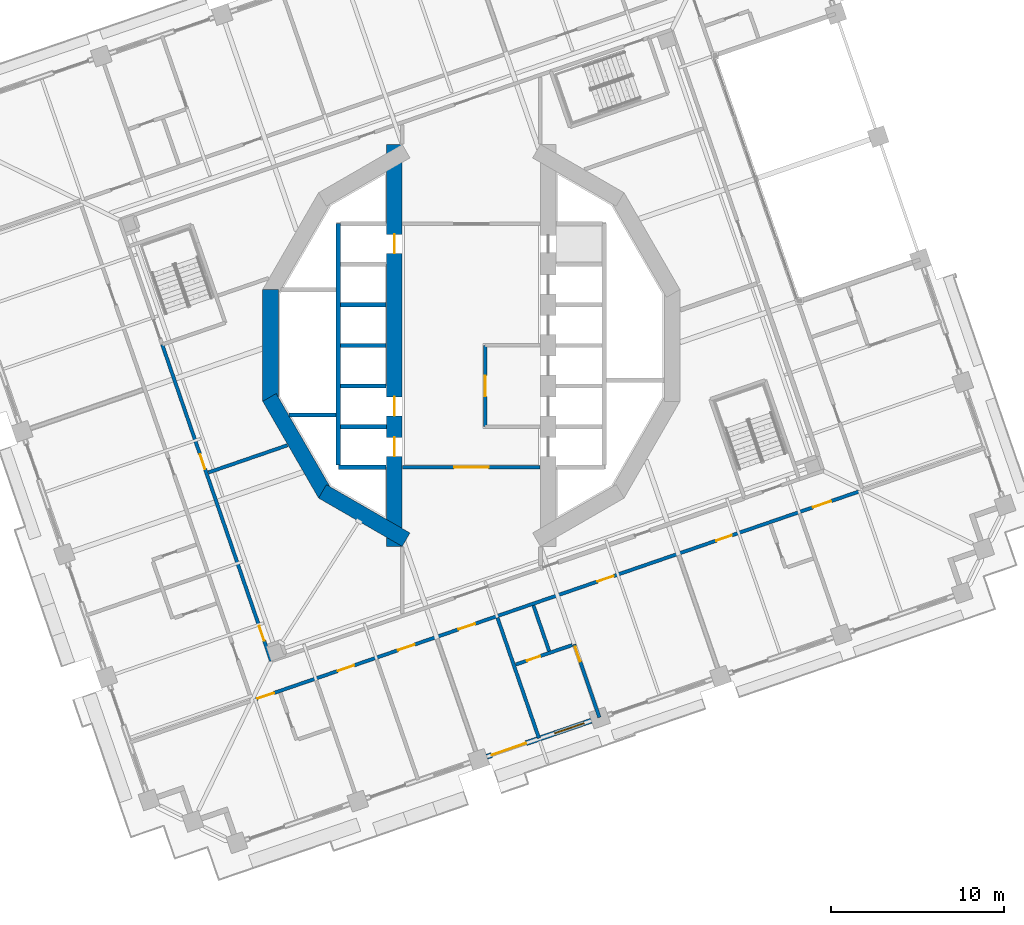
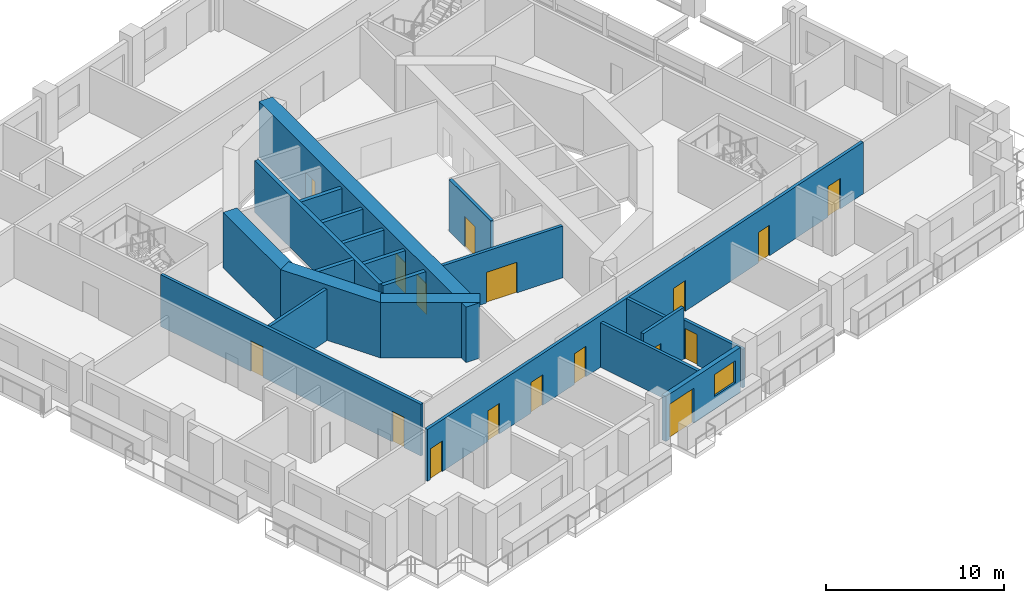
# One storey, part 8 of 19: 21 walls, 17 doors, 1 window, 18 openings.
"""IFC4 building model written with IfcOpenShell, lengths in metres."""

from ifc_helpers import new_model, si_unit, direction, frame, frame_2d, origin, place, context, subcontext, project, spatial, rectangle, extrude, material, layer, layer_set, type_object, element, fill, save


model = new_model("IFC4")

# Units and contexts
model_context = context("Model", 3, precision=1e-05, world=origin(), true_north=direction((0.0, 1.0)))
body_context = subcontext(model_context, "Body", "Model", "MODEL_VIEW")
ifc_project = project(units=[si_unit("LENGTHUNIT", "METRE"), si_unit("AREAUNIT", "SQUARE_METRE"), si_unit("VOLUMEUNIT", "CUBIC_METRE"), si_unit("PLANEANGLEUNIT", "RADIAN"), si_unit("MASSUNIT", "GRAM", prefix="KILO")], contexts=[model_context])

# Site, building, storey
site_placement = place(None, origin())
site = spatial("IfcSite", under=ifc_project, at=site_placement, CompositionType="ELEMENT")
building_placement = place(site_placement, origin())
building = spatial("IfcBuilding", under=site, at=building_placement, Name="Cantera Rosa Tower", CompositionType="ELEMENT")
storey_placement = place(building_placement, frame((0.0, 0.0, 130.699951171875)))
storey = spatial("IfcBuildingStorey", under=building, at=storey_placement, Name="L27", CompositionType="ELEMENT", Elevation=130.699951171875)

# Wall, openings, doors
ifc_material_1 = material(Name="Gypsum board partition")
ifc_layer_1 = layer(ifc_material_1, 0.199951171875)
ifc_layer_set_1 = layer_set([ifc_layer_1], Name="CORRIDOR WALL 200 H3550")
wall_type_1 = type_object("IfcWallType", Name="CORRIDOR WALL 200 H3550", PredefinedType="PARTITIONING", material=ifc_layer_set_1)
wall_1_placement = place(storey_placement, frame((-17.8916015625, 0.05126953125, 0.0), z_axis=(0.0, 0.0, 1.0), x_axis=(0.325580537834, -0.94551431157, 0.0)))
wall_1 = element("IfcWall", 1, at=wall_1_placement, inside=storey, type_object=wall_type_1, Name="CORRIDOR WALL L27-013", PredefinedType="PARTITIONING", context=body_context, shape_type="SweptSolid", body=[
    extrude(rectangle(XDim=19.37353515625, YDim=0.199951171875, at=frame_2d((9.686767578125, 0.0))), origin(), (0.0, 0.0, 1.0), 3.550048828125),
])
opening_1_placement = place(wall_1_placement, frame((6.7109375, 0.0, 0.0)))
opening_1 = element("IfcOpeningElement", 2, at=opening_1_placement, cuts=wall_1, Name="Opening L27-006", PredefinedType="OPENING", context=body_context, shape_type="SweptSolid", body=[
    extrude(rectangle(XDim=0.89990234375, YDim=2.10009765625, at=frame_2d((0.449951171875, 1.050048828125))), frame((0.0, 0.10986328125, 0.0), z_axis=(0.0, -1.0, 0.0), x_axis=(1.0, 0.0, 0.0)), (0.0, 0.0, 1.0), 0.219970703125),
])
opening_2_placement = place(wall_1_placement, frame((17.228515625, 0.0, 0.0)))
opening_2 = element("IfcOpeningElement", 3, at=opening_2_placement, cuts=wall_1, Name="Opening L27-007", PredefinedType="OPENING", context=body_context, shape_type="SweptSolid", body=[
    extrude(rectangle(XDim=0.89990234375, YDim=2.10009765625, at=frame_2d((0.449951171875, 1.050048828125))), frame((0.0, 0.10986328125, 0.0), z_axis=(0.0, -1.0, 0.0), x_axis=(1.0, 0.0, 0.0)), (0.0, 0.0, 1.0), 0.219970703125),
])
ifc_material_2 = material(Name="Timber door leaf", Category="wood")
door_type_1 = type_object("IfcDoorType", Name="SERVICE DOOR 900x2100", OperationType="NOTDEFINED", PredefinedType="DOOR", material=ifc_material_2)
door_1_placement = place(opening_1_placement, origin())
door_1 = element("IfcDoor", 4, at=door_1_placement, inside=storey, type_object=door_type_1, Name="DOOR L27-006", OperationType="NOTDEFINED", OverallHeight=2.10009765625, OverallWidth=0.89990234375, PredefinedType="DOOR", context=body_context, shape_type="SweptSolid", body=[
    extrude(rectangle(XDim=0.89990234375, YDim=2.10009765625, at=frame_2d((0.449951171875, 1.050048828125))), frame((0.0, 0.02490234375, 0.0), z_axis=(0.0, -1.0, 0.0), x_axis=(1.0, 0.0, 0.0)), (0.0, 0.0, 1.0), 0.050048828125),
])
fill(opening_1, door_1)
door_2_placement = place(opening_2_placement, origin())
door_2 = element("IfcDoor", 5, at=door_2_placement, inside=storey, type_object=door_type_1, Name="DOOR L27-007", OperationType="NOTDEFINED", OverallHeight=2.10009765625, OverallWidth=0.89990234375, PredefinedType="DOOR", context=body_context, shape_type="SweptSolid", body=[
    extrude(rectangle(XDim=0.89990234375, YDim=2.10009765625, at=frame_2d((0.449951171875, 1.050048828125))), frame((0.0, 0.02490234375, 0.0), z_axis=(0.0, -1.0, 0.0), x_axis=(1.0, 0.0, 0.0)), (0.0, 0.0, 1.0), 0.050048828125),
])
fill(opening_2, door_2)

wall_2_placement = place(storey_placement, frame((-12.60546875, -20.52197265625, 0.0), z_axis=(0.0, 0.0, 1.0), x_axis=(0.945519651594, 0.325565029526, 0.0)))
wall_2 = element("IfcWall", 6, at=wall_2_placement, inside=storey, type_object=wall_type_1, Name="CORRIDOR WALL L27-021", PredefinedType="PARTITIONING", context=body_context, shape_type="SweptSolid", body=[
    extrude(rectangle(XDim=37.300048828125, YDim=0.199951171875, at=frame_2d((18.64990234375, 0.0))), origin(), (0.0, 0.0, 1.0), 3.550048828125),
])
opening_3_placement = place(wall_2_placement, frame((5.14990234375, 0.0, 0.0)))
opening_3 = element("IfcOpeningElement", 7, at=opening_3_placement, cuts=wall_2, Name="Opening L27-032", PredefinedType="OPENING", context=body_context, shape_type="SweptSolid", body=[
    extrude(rectangle(XDim=1.0, YDim=2.10009765625, at=frame_2d((0.5, 1.050048828125))), frame((0.0, 0.10986328125, 0.0), z_axis=(0.0, -1.0, 0.0), x_axis=(1.0, 0.0, 0.0)), (0.0, 0.0, 1.0), 0.219970703125),
])
opening_4_placement = place(wall_2_placement, frame((8.85009765625, 0.0, 0.0)))
opening_4 = element("IfcOpeningElement", 8, at=opening_4_placement, cuts=wall_2, Name="Opening L27-033", PredefinedType="OPENING", context=body_context, shape_type="SweptSolid", body=[
    extrude(rectangle(XDim=1.0, YDim=2.10009765625, at=frame_2d((0.5, 1.050048828125))), frame((0.0, 0.10986328125, 0.0), z_axis=(0.0, -1.0, 0.0), x_axis=(1.0, 0.0, 0.0)), (0.0, 0.0, 1.0), 0.219970703125),
])
opening_5_placement = place(wall_2_placement, frame((12.550048828125, 0.0, 0.0)))
opening_5 = element("IfcOpeningElement", 9, at=opening_5_placement, cuts=wall_2, Name="Opening L27-034", PredefinedType="OPENING", context=body_context, shape_type="SweptSolid", body=[
    extrude(rectangle(XDim=1.0, YDim=2.10009765625, at=frame_2d((0.5, 1.050048828125))), frame((0.0, 0.10986328125, 0.0), z_axis=(0.0, -1.0, 0.0), x_axis=(1.0, 0.0, 0.0)), (0.0, 0.0, 1.0), 0.219970703125),
])
opening_6_placement = place(wall_2_placement, frame((21.050048828125, 0.0, 0.0)))
opening_6 = element("IfcOpeningElement", 10, at=opening_6_placement, cuts=wall_2, Name="Opening L27-035", PredefinedType="OPENING", context=body_context, shape_type="SweptSolid", body=[
    extrude(rectangle(XDim=1.0, YDim=2.10009765625, at=frame_2d((0.5, 1.050048828125))), frame((0.0, 0.10986328125, 0.0), z_axis=(0.0, -1.0, 0.0), x_axis=(1.0, 0.0, 0.0)), (0.0, 0.0, 1.0), 0.219970703125),
])
opening_7_placement = place(wall_2_placement, frame((28.324951171875, 0.0, 0.0)))
opening_7 = element("IfcOpeningElement", 11, at=opening_7_placement, cuts=wall_2, Name="Opening L27-038", PredefinedType="OPENING", context=body_context, shape_type="SweptSolid", body=[
    extrude(rectangle(XDim=0.949951171875, YDim=2.10009765625, at=frame_2d((0.47509765625, 1.050048828125))), frame((0.0, 0.10986328125, 0.0), z_axis=(0.0, -1.0, 0.0), x_axis=(1.0, 0.0, 0.0)), (0.0, 0.0, 1.0), 0.219970703125),
])
opening_8_placement = place(wall_2_placement, frame((0.25, 0.0, 0.0)))
opening_8 = element("IfcOpeningElement", 12, at=opening_8_placement, cuts=wall_2, Name="Opening L27-040", PredefinedType="OPENING", context=body_context, shape_type="SweptSolid", body=[
    extrude(rectangle(XDim=1.0, YDim=2.10009765625, at=frame_2d((0.5, 1.050048828125))), frame((0.0, 0.10986328125, 0.0), z_axis=(0.0, -1.0, 0.0), x_axis=(1.0, 0.0, 0.0)), (0.0, 0.0, 1.0), 0.219970703125),
])
opening_9_placement = place(wall_2_placement, frame((34.25, 0.0, 0.0)))
opening_9 = element("IfcOpeningElement", 13, at=opening_9_placement, cuts=wall_2, Name="Opening L27-042", PredefinedType="OPENING", context=body_context, shape_type="SweptSolid", body=[
    extrude(rectangle(XDim=1.10009765625, YDim=2.10009765625, at=frame_2d((0.550048828125, 1.050048828125))), frame((0.0, 0.10986328125, 0.0), z_axis=(0.0, -1.0, 0.0), x_axis=(1.0, 0.0, 0.0)), (0.0, 0.0, 1.0), 0.219970703125),
])
ifc_material_3 = material(Name="Timber door leaf", Category="wood")
door_type_2 = type_object("IfcDoorType", Name="ENTRANCE DOOR 1000x2100", OperationType="NOTDEFINED", PredefinedType="DOOR", material=ifc_material_3)
door_3_placement = place(opening_6_placement, origin())
door_3 = element("IfcDoor", 14, at=door_3_placement, inside=storey, type_object=door_type_2, Name="DOOR L27-035", OperationType="NOTDEFINED", OverallHeight=2.10009765625, OverallWidth=1.0, PredefinedType="DOOR", context=body_context, shape_type="SweptSolid", body=[
    extrude(rectangle(XDim=1.0, YDim=2.10009765625, at=frame_2d((0.5, 1.050048828125))), frame((0.0, 0.02490234375, 0.0), z_axis=(0.0, -1.0, 0.0), x_axis=(1.0, 0.0, 0.0)), (0.0, 0.0, 1.0), 0.050048828125),
])
fill(opening_6, door_3)
door_4_placement = place(opening_8_placement, origin())
door_4 = element("IfcDoor", 15, at=door_4_placement, inside=storey, type_object=door_type_2, Name="DOOR L27-040", OperationType="NOTDEFINED", OverallHeight=2.10009765625, OverallWidth=1.0, PredefinedType="DOOR", context=body_context, shape_type="SweptSolid", body=[
    extrude(rectangle(XDim=1.0, YDim=2.10009765625, at=frame_2d((0.5, 1.050048828125))), frame((0.0, 0.02490234375, 0.0), z_axis=(0.0, -1.0, 0.0), x_axis=(1.0, 0.0, 0.0)), (0.0, 0.0, 1.0), 0.050048828125),
])
fill(opening_8, door_4)
ifc_material_4 = material(Name="Timber door leaf", Category="wood")
door_type_3 = type_object("IfcDoorType", Name="ROOM DOOR 1000x2100", OperationType="NOTDEFINED", PredefinedType="DOOR", material=ifc_material_4)
door_5_placement = place(opening_3_placement, origin())
door_5 = element("IfcDoor", 16, at=door_5_placement, inside=storey, type_object=door_type_3, Name="DOOR L27-032", OperationType="NOTDEFINED", OverallHeight=2.10009765625, OverallWidth=1.0, PredefinedType="DOOR", context=body_context, shape_type="SweptSolid", body=[
    extrude(rectangle(XDim=1.0, YDim=2.10009765625, at=frame_2d((0.5, 1.050048828125))), frame((0.0, 0.02490234375, 0.0), z_axis=(0.0, -1.0, 0.0), x_axis=(1.0, 0.0, 0.0)), (0.0, 0.0, 1.0), 0.050048828125),
])
fill(opening_3, door_5)
door_6_placement = place(opening_4_placement, origin())
door_6 = element("IfcDoor", 17, at=door_6_placement, inside=storey, type_object=door_type_3, Name="DOOR L27-033", OperationType="NOTDEFINED", OverallHeight=2.10009765625, OverallWidth=1.0, PredefinedType="DOOR", context=body_context, shape_type="SweptSolid", body=[
    extrude(rectangle(XDim=1.0, YDim=2.10009765625, at=frame_2d((0.5, 1.050048828125))), frame((0.0, 0.02490234375, 0.0), z_axis=(0.0, -1.0, 0.0), x_axis=(1.0, 0.0, 0.0)), (0.0, 0.0, 1.0), 0.050048828125),
])
fill(opening_4, door_6)
door_7_placement = place(opening_5_placement, origin())
door_7 = element("IfcDoor", 18, at=door_7_placement, inside=storey, type_object=door_type_3, Name="DOOR L27-034", OperationType="NOTDEFINED", OverallHeight=2.10009765625, OverallWidth=1.0, PredefinedType="DOOR", context=body_context, shape_type="SweptSolid", body=[
    extrude(rectangle(XDim=1.0, YDim=2.10009765625, at=frame_2d((0.5, 1.050048828125))), frame((0.0, 0.02490234375, 0.0), z_axis=(0.0, -1.0, 0.0), x_axis=(1.0, 0.0, 0.0)), (0.0, 0.0, 1.0), 0.050048828125),
])
fill(opening_5, door_7)
ifc_material_5 = material(Name="Timber door leaf", Category="wood")
door_type_4 = type_object("IfcDoorType", Name="ROOM DOOR 1100x2100", OperationType="NOTDEFINED", PredefinedType="DOOR", material=ifc_material_5)
door_8_placement = place(opening_9_placement, origin())
door_8 = element("IfcDoor", 19, at=door_8_placement, inside=storey, type_object=door_type_4, Name="DOOR L27-042", OperationType="NOTDEFINED", OverallHeight=2.10009765625, OverallWidth=1.10009765625, PredefinedType="DOOR", context=body_context, shape_type="SweptSolid", body=[
    extrude(rectangle(XDim=1.10009765625, YDim=2.10009765625, at=frame_2d((0.550048828125, 1.050048828125))), frame((0.0, 0.02490234375, 0.0), z_axis=(0.0, -1.0, 0.0), x_axis=(1.0, 0.0, 0.0)), (0.0, 0.0, 1.0), 0.050048828125),
])
fill(opening_9, door_8)
ifc_material_6 = material(Name="Timber door leaf", Category="wood")
door_type_5 = type_object("IfcDoorType", Name="ROOM DOOR 950x2100", OperationType="NOTDEFINED", PredefinedType="DOOR", material=ifc_material_6)
door_9_placement = place(opening_7_placement, origin())
door_9 = element("IfcDoor", 20, at=door_9_placement, inside=storey, type_object=door_type_5, Name="DOOR L27-038", OperationType="NOTDEFINED", OverallHeight=2.10009765625, OverallWidth=0.949951171875, PredefinedType="DOOR", context=body_context, shape_type="SweptSolid", body=[
    extrude(rectangle(XDim=0.949951171875, YDim=2.10009765625, at=frame_2d((0.47509765625, 1.050048828125))), frame((0.0, 0.02490234375, 0.0), z_axis=(0.0, -1.0, 0.0), x_axis=(1.0, 0.0, 0.0)), (0.0, 0.0, 1.0), 0.050048828125),
])
fill(opening_7, door_9)

# Wall, opening, door
wall_3_placement = place(storey_placement, frame((3.969970703125, -7.050048828125, 0.0), z_axis=(0.0, 0.0, 1.0), x_axis=(-1.0, 0.0, 0.0)))
wall_3 = element("IfcWall", 21, at=wall_3_placement, inside=storey, type_object=wall_type_1, Name="CORRIDOR WALL L27-052", PredefinedType="PARTITIONING", context=body_context, shape_type="SweptSolid", body=[
    extrude(rectangle(XDim=7.93994140625, YDim=0.199951171875, at=frame_2d((3.969970703125, 0.0))), origin(), (0.0, 0.0, 1.0), 3.550048828125),
])
opening_10_placement = place(wall_3_placement, frame((2.969970703125, 0.0, 0.0)))
opening_10 = element("IfcOpeningElement", 22, at=opening_10_placement, cuts=wall_3, Name="Opening L27-012", PredefinedType="OPENING", context=body_context, shape_type="SweptSolid", body=[
    extrude(rectangle(XDim=2.0, YDim=2.10009765625, at=frame_2d((1.0, 1.050048828125))), frame((0.0, 0.10986328125, 0.0), z_axis=(0.0, -1.0, 0.0), x_axis=(1.0, 0.0, 0.0)), (0.0, 0.0, 1.0), 0.219970703125),
])
ifc_material_7 = material(Name="Steel S355J2 (EN 10025-2)", Category="steel")
door_type_6 = type_object("IfcDoorType", Name="LOBBY SCREEN DOOR 2000x2100", OperationType="NOTDEFINED", PredefinedType="DOOR", material=ifc_material_7)
door_10_placement = place(opening_10_placement, origin())
door_10 = element("IfcDoor", 23, at=door_10_placement, inside=storey, type_object=door_type_6, Name="DOOR L27-012", OperationType="NOTDEFINED", OverallHeight=2.10009765625, OverallWidth=2.0, PredefinedType="DOOR", context=body_context, shape_type="SweptSolid", body=[
    extrude(rectangle(XDim=2.0, YDim=2.10009765625, at=frame_2d((1.0, 1.050048828125))), frame((0.0, 0.02490234375, 0.0), z_axis=(0.0, -1.0, 0.0), x_axis=(1.0, 0.0, 0.0)), (0.0, 0.0, 1.0), 0.050048828125),
])
fill(opening_10, door_10)

# Wall, openings, window, door
ifc_material_8 = material(Name="Hollow clay masonry with cantera stone cladding", Category="masonry")
ifc_layer_2 = layer(ifc_material_8, 0.300048828125)
ifc_layer_set_2 = layer_set([ifc_layer_2], Name="EW-LOGGIA 300 H3090")
wall_type_2 = type_object("IfcWallType", Name="EW-LOGGIA 300 H3090", PredefinedType="SOLIDWALL", material=ifc_layer_set_2)
wall_4_placement = place(storey_placement, frame((0.89892578125, -23.80419921875, 0.0), z_axis=(0.0, 0.0, 1.0), x_axis=(0.945524496524, 0.325550958337, 0.0)))
wall_4 = element("IfcWall", 24, at=wall_4_placement, inside=storey, type_object=wall_type_2, Name="EN-L27-W25", PredefinedType="SOLIDWALL", context=body_context, shape_type="SweptSolid", body=[
    extrude(rectangle(XDim=6.39990234375, YDim=0.300048828125, at=frame_2d((3.199951171875, 0.0))), origin(), (0.0, 0.0, 1.0), 3.090087890625),
])
opening_11_placement = place(wall_4_placement, frame((0.300048828125, 0.0, 0.0)))
opening_11 = element("IfcOpeningElement", 25, at=opening_11_placement, cuts=wall_4, Name="Opening L27-TD33", PredefinedType="OPENING", context=body_context, shape_type="SweptSolid", body=[
    extrude(rectangle(XDim=2.10009765625, YDim=2.39990234375, at=frame_2d((1.050048828125, 1.199951171875))), frame((0.0, 0.159912109375, 0.0), z_axis=(0.0, -1.0, 0.0), x_axis=(1.0, 0.0, 0.0)), (0.0, 0.0, 1.0), 0.320068359375),
])
opening_12_placement = place(wall_4_placement, frame((4.14990234375, 0.0, 0.89990234375)))
opening_12 = element("IfcOpeningElement", 26, at=opening_12_placement, cuts=wall_4, Name="Opening L27-W34", PredefinedType="OPENING", context=body_context, shape_type="SweptSolid", body=[
    extrude(rectangle(XDim=1.800048828125, YDim=1.5, at=frame_2d((0.89990234375, 0.75))), frame((0.0, 0.159912109375, 0.0), z_axis=(0.0, -1.0, 0.0), x_axis=(1.0, 0.0, 0.0)), (0.0, 0.0, 1.0), 0.320068359375),
])
ifc_material_9 = material(Name="Aluminium frame with clear glass", Category="aluminium")
window_type = type_object("IfcWindowType", Name="Hotel room window 1800x1500", PartitioningType="DOUBLE_PANEL_VERTICAL", PredefinedType="WINDOW", material=ifc_material_9)
window_placement = place(opening_12_placement, origin())
window = element("IfcWindow", 27, at=window_placement, inside=storey, type_object=window_type, Name="WINDOW L27-W34", OverallHeight=1.5, OverallWidth=1.800048828125, PartitioningType="SINGLE_PANEL", PredefinedType="WINDOW", context=body_context, shape_type="SweptSolid", body=[
    extrude(rectangle(XDim=1.800048828125, YDim=1.5, at=frame_2d((0.89990234375, 0.75))), frame((0.0, 0.030029296875, 0.0), z_axis=(0.0, -1.0, 0.0), x_axis=(1.0, 0.0, 0.0)), (0.0, 0.0, 1.0), 0.06005859375),
])
fill(opening_12, window)
ifc_material_10 = material(Name="Aluminium frame with clear glass", Category="aluminium")
door_type_7 = type_object("IfcDoorType", Name="TD-H 2100x2400", OperationType="NOTDEFINED", PredefinedType="DOOR", material=ifc_material_10)
door_11_placement = place(opening_11_placement, origin())
door_11 = element("IfcDoor", 28, at=door_11_placement, inside=storey, type_object=door_type_7, Name="LOGGIA DOOR L27-TD33", OperationType="SLIDING_TO_LEFT", OverallHeight=2.39990234375, OverallWidth=2.10009765625, PredefinedType="DOOR", context=body_context, shape_type="SweptSolid", body=[
    extrude(rectangle(XDim=2.10009765625, YDim=2.39990234375, at=frame_2d((1.050048828125, 1.199951171875))), frame((0.0, 0.02490234375, 0.0), z_axis=(0.0, -1.0, 0.0), x_axis=(1.0, 0.0, 0.0)), (0.0, 0.0, 1.0), 0.050048828125),
])
fill(opening_11, door_11)

# Wall, opening, door
ifc_material_11 = material(Name="Gypsum board partition")
ifc_layer_3 = layer(ifc_material_11, 0.199951171875)
ifc_layer_set_3 = layer_set([ifc_layer_3], Name="PARTITION 200 H2650")
wall_type_3 = type_object("IfcWallType", Name="PARTITION 200 H2650", PredefinedType="PARTITIONING", material=ifc_layer_set_3)
wall_5_placement = place(storey_placement, frame((5.9580078125, -17.302978515625, 0.0), z_axis=(0.0, 0.0, 1.0), x_axis=(0.325519343344, -0.945535381204, 0.0)))
wall_5 = element("IfcWall", 29, at=wall_5_placement, inside=storey, type_object=wall_type_3, Name="PARTITION L27-062", PredefinedType="PARTITIONING", context=body_context, shape_type="SweptSolid", body=[
    extrude(rectangle(XDim=4.469970703125, YDim=0.199951171875, at=frame_2d((2.23486328125, 0.0))), origin(), (0.0, 0.0, 1.0), 2.650146484375),
])
opening_13_placement = place(wall_5_placement, frame((0.14990234375, 0.0, 0.0)))
opening_13 = element("IfcOpeningElement", 30, at=opening_13_placement, cuts=wall_5, Name="Opening L27-036", PredefinedType="OPENING", context=body_context, shape_type="SweptSolid", body=[
    extrude(rectangle(XDim=0.89990234375, YDim=2.10009765625, at=frame_2d((0.449951171875, 1.050048828125))), frame((0.0, 0.10986328125, 0.0), z_axis=(0.0, -1.0, 0.0), x_axis=(1.0, 0.0, 0.0)), (0.0, 0.0, 1.0), 0.219970703125),
])
ifc_material_12 = material(Name="Timber door leaf", Category="wood")
door_type_8 = type_object("IfcDoorType", Name="ROOM DOOR 900x2100", OperationType="NOTDEFINED", PredefinedType="DOOR", material=ifc_material_12)
door_12_placement = place(opening_13_placement, origin())
door_12 = element("IfcDoor", 31, at=door_12_placement, inside=storey, type_object=door_type_8, Name="DOOR L27-036", OperationType="NOTDEFINED", OverallHeight=2.10009765625, OverallWidth=0.89990234375, PredefinedType="DOOR", context=body_context, shape_type="SweptSolid", body=[
    extrude(rectangle(XDim=0.89990234375, YDim=2.10009765625, at=frame_2d((0.449951171875, 1.050048828125))), frame((0.0, 0.02490234375, 0.0), z_axis=(0.0, -1.0, 0.0), x_axis=(1.0, 0.0, 0.0)), (0.0, 0.0, 1.0), 0.050048828125),
])
fill(opening_13, door_12)

# Wall
ifc_material_13 = material(Name="Gypsum board partition")
ifc_layer_4 = layer(ifc_material_13, 0.199951171875)
ifc_layer_set_4 = layer_set([ifc_layer_4], Name="PARTITION 200 H3550")
wall_type_4 = type_object("IfcWallType", Name="PARTITION 200 H3550", PredefinedType="PARTITIONING", material=ifc_layer_set_4)
wall_6_placement = place(storey_placement, frame((-10.64013671875, -5.77880859375, 0.0), z_axis=(0.0, 0.0, 1.0), x_axis=(-0.945513394783, -0.325583200253, 0.0)))
element("IfcWall", 32, at=wall_6_placement, inside=storey, type_object=wall_type_4, Name="PARTITION L27-028", PredefinedType="PARTITIONING", context=body_context, shape_type="SweptSolid", body=[
    extrude(rectangle(XDim=4.838134765625, YDim=0.199951171875, at=frame_2d((2.4189453125, 0.0))), origin(), (0.0, 0.0, 1.0), 3.550048828125),
])

# Wall, opening, door
wall_7_placement = place(storey_placement, frame((2.572998046875, -18.468505859375, 0.0), z_axis=(0.0, 0.0, 1.0), x_axis=(0.945518358783, 0.325568784136, 0.0)))
wall_7 = element("IfcWall", 33, at=wall_7_placement, inside=storey, type_object=wall_type_4, Name="PARTITION L27-050", PredefinedType="PARTITIONING", context=body_context, shape_type="SweptSolid", body=[
    extrude(rectangle(XDim=3.4599609375, YDim=0.199951171875, at=frame_2d((1.72998046875, 0.0))), origin(), (0.0, 0.0, 1.0), 3.550048828125),
])
opening_14_placement = place(wall_7_placement, frame((0.68994140625, 0.0, 0.0)))
opening_14 = element("IfcOpeningElement", 34, at=opening_14_placement, cuts=wall_7, Name="Opening L27-037", PredefinedType="OPENING", context=body_context, shape_type="SweptSolid", body=[
    extrude(rectangle(XDim=0.800048828125, YDim=2.10009765625, at=frame_2d((0.39990234375, 1.050048828125))), frame((0.0, 0.10986328125, 0.0), z_axis=(0.0, -1.0, 0.0), x_axis=(1.0, 0.0, 0.0)), (0.0, 0.0, 1.0), 0.219970703125),
])
ifc_material_14 = material(Name="Timber door leaf", Category="wood")
door_type_9 = type_object("IfcDoorType", Name="BATHROOM DOOR 800x2100", OperationType="NOTDEFINED", PredefinedType="DOOR", material=ifc_material_14)
door_13_placement = place(opening_14_placement, origin())
door_13 = element("IfcDoor", 35, at=door_13_placement, inside=storey, type_object=door_type_9, Name="DOOR L27-037", OperationType="NOTDEFINED", OverallHeight=2.10009765625, OverallWidth=0.800048828125, PredefinedType="DOOR", context=body_context, shape_type="SweptSolid", body=[
    extrude(rectangle(XDim=0.800048828125, YDim=2.10009765625, at=frame_2d((0.39990234375, 1.050048828125))), frame((0.0, 0.02490234375, 0.0), z_axis=(0.0, -1.0, 0.0), x_axis=(1.0, 0.0, 0.0)), (0.0, 0.0, 1.0), 0.050048828125),
])
fill(opening_14, door_13)

# Walls
wall_8_placement = place(storey_placement, frame((3.595458984375, -15.04931640625, 0.0), z_axis=(0.0, 0.0, 1.0), x_axis=(0.325576835135, -0.945515586558, 0.0)))
element("IfcWall", 36, at=wall_8_placement, inside=storey, type_object=wall_type_4, Name="PARTITION L27-051", PredefinedType="PARTITIONING", context=body_context, shape_type="SweptSolid", body=[
    extrude(rectangle(XDim=2.800048828125, YDim=0.199951171875, at=frame_2d((1.39990234375, 0.0))), origin(), (0.0, 0.0, 1.0), 3.550048828125),
])
ifc_material_15 = material(Name="Gypsum board partition")
ifc_layer_5 = layer(ifc_material_15, 0.199951171875)
ifc_layer_set_5 = layer_set([ifc_layer_5], Name="PARTY WALL 200 H3050")
wall_type_5 = type_object("IfcWallType", Name="PARTY WALL 200 H3050", PredefinedType="PARTITIONING", material=ifc_layer_set_5)
wall_9_placement = place(storey_placement, frame((1.515380859375, -15.765625, 0.0), z_axis=(0.0, 0.0, 1.0), x_axis=(0.325563917555, -0.945520034471, 0.0)))
element("IfcWall", 37, at=wall_9_placement, inside=storey, type_object=wall_type_5, Name="PARTY WALL L27-048", PredefinedType="PARTITIONING", context=body_context, shape_type="SweptSolid", body=[
    extrude(rectangle(XDim=7.3701171875, YDim=0.199951171875, at=frame_2d((3.68505859375, 0.0))), origin(), (0.0, 0.0, 1.0), 3.050048828125),
])
ifc_material_16 = material(Name="Concrete C70/85", Category="concrete")
ifc_layer_6 = layer(ifc_material_16, 0.89990234375)
ifc_layer_set_6 = layer_set([ifc_layer_6], Name="RC CORE WALL 900 C70/85")
wall_type_6 = type_object("IfcWallType", Name="RC CORE WALL 900 C70/85", PredefinedType="SHEAR", material=ifc_layer_set_6)
wall_10_placement = place(storey_placement, frame((-3.77490234375, -11.242919921875, 0.0), z_axis=(0.0, 0.0, 1.0), x_axis=(-0.866026961591, 0.49999730179, 0.0)))
element("IfcWall", 38, at=wall_10_placement, inside=storey, type_object=wall_type_6, Name="CW-W1 L27", PredefinedType="SHEAR", context=body_context, shape_type="SweptSolid", body=[
    extrude(rectangle(XDim=5.58740234375, YDim=0.89990234375, at=frame_2d((2.793701171875, 0.0))), origin(), (0.0, 0.0, 1.0), 3.800048828125),
])
wall_11_placement = place(storey_placement, frame((-8.44921875, -8.61376953125, 0.0), z_axis=(0.0, 0.0, 1.0), x_axis=(-0.499990282633, 0.866031014036, 0.0)))
element("IfcWall", 39, at=wall_11_placement, inside=storey, type_object=wall_type_6, Name="CW-W2 L27", PredefinedType="SHEAR", context=body_context, shape_type="SweptSolid", body=[
    extrude(rectangle(XDim=6.470458984375, YDim=0.89990234375, at=frame_2d((3.2353515625, 0.0))), origin(), (0.0, 0.0, 1.0), 3.800048828125),
])
wall_12_placement = place(storey_placement, frame((-11.6240234375, -3.2353515625, 0.0), z_axis=(0.0, 0.0, 1.0), x_axis=(0.0, 1.0, 0.0)))
element("IfcWall", 40, at=wall_12_placement, inside=storey, type_object=wall_type_6, Name="CW-W3 L27", PredefinedType="SHEAR", context=body_context, shape_type="SweptSolid", body=[
    extrude(rectangle(XDim=6.470703125, YDim=0.89990234375, at=frame_2d((3.2353515625, 0.0))), origin(), (0.0, 0.0, 1.0), 3.800048828125),
])

# Wall, openings, doors
wall_13_placement = place(storey_placement, frame((-4.449951171875, 11.632568359375, 0.0), z_axis=(0.0, 0.0, 1.0), x_axis=(0.0, -1.0, 0.0)))
wall_13 = element("IfcWall", 41, at=wall_13_placement, inside=storey, type_object=wall_type_6, Name="CW-W6 L27", PredefinedType="SHEAR", context=body_context, shape_type="SweptSolid", body=[
    extrude(rectangle(XDim=23.26513671875, YDim=0.89990234375, at=frame_2d((11.632568359375, 0.0))), origin(), (0.0, 0.0, 1.0), 3.800048828125),
])
opening_15_placement = place(wall_13_placement, frame((14.607421875, 0.0, 0.0)))
opening_15 = element("IfcOpeningElement", 42, at=opening_15_placement, cuts=wall_13, Name="Opening LD-P3-L27", PredefinedType="OPENING", context=body_context, shape_type="SweptSolid", body=[
    extrude(rectangle(XDim=1.10009765625, YDim=2.10009765625, at=frame_2d((0.550048828125, 1.050048828125))), frame((0.0, 0.4599609375, 0.0), z_axis=(0.0, -1.0, 0.0), x_axis=(1.0, 0.0, 0.0)), (0.0, 0.0, 1.0), 0.919921875),
])
opening_16_placement = place(wall_13_placement, frame((16.95751953125, 0.0, 0.0)))
opening_16 = element("IfcOpeningElement", 43, at=opening_16_placement, cuts=wall_13, Name="Opening LD-P4-L27", PredefinedType="OPENING", context=body_context, shape_type="SweptSolid", body=[
    extrude(rectangle(XDim=1.10009765625, YDim=2.10009765625, at=frame_2d((0.550048828125, 1.050048828125))), frame((0.0, 0.4599609375, 0.0), z_axis=(0.0, -1.0, 0.0), x_axis=(1.0, 0.0, 0.0)), (0.0, 0.0, 1.0), 0.919921875),
])
opening_17_placement = place(wall_13_placement, frame((5.20751953125, 0.0, 0.0)))
opening_17 = element("IfcOpeningElement", 44, at=opening_17_placement, cuts=wall_13, Name="Opening LD-P5-L27", PredefinedType="OPENING", context=body_context, shape_type="SweptSolid", body=[
    extrude(rectangle(XDim=1.10009765625, YDim=2.10009765625, at=frame_2d((0.550048828125, 1.050048828125))), frame((0.0, 0.4599609375, 0.0), z_axis=(0.0, -1.0, 0.0), x_axis=(1.0, 0.0, 0.0)), (0.0, 0.0, 1.0), 0.919921875),
])
ifc_material_17 = material(Name="Steel S355J2 (EN 10025-2)", Category="steel")
door_type_10 = type_object("IfcDoorType", Name="LANDING DOOR 1100x2100", OperationType="NOTDEFINED", PredefinedType="DOOR", material=ifc_material_17)
door_14_placement = place(opening_15_placement, origin())
door_14 = element("IfcDoor", 45, at=door_14_placement, inside=storey, type_object=door_type_10, Name="LANDING DOOR P3 L27", OperationType="SLIDING_TO_LEFT", OverallHeight=2.10009765625, OverallWidth=1.10009765625, PredefinedType="DOOR", context=body_context, shape_type="SweptSolid", body=[
    extrude(rectangle(XDim=1.10009765625, YDim=2.10009765625, at=frame_2d((0.550048828125, 1.050048828125))), frame((0.0, 0.02490234375, 0.0), z_axis=(0.0, -1.0, 0.0), x_axis=(1.0, 0.0, 0.0)), (0.0, 0.0, 1.0), 0.050048828125),
])
fill(opening_15, door_14)
door_15_placement = place(opening_16_placement, origin())
door_15 = element("IfcDoor", 46, at=door_15_placement, inside=storey, type_object=door_type_10, Name="LANDING DOOR P4 L27", OperationType="SLIDING_TO_LEFT", OverallHeight=2.10009765625, OverallWidth=1.10009765625, PredefinedType="DOOR", context=body_context, shape_type="SweptSolid", body=[
    extrude(rectangle(XDim=1.10009765625, YDim=2.10009765625, at=frame_2d((0.550048828125, 1.050048828125))), frame((0.0, 0.02490234375, 0.0), z_axis=(0.0, -1.0, 0.0), x_axis=(1.0, 0.0, 0.0)), (0.0, 0.0, 1.0), 0.050048828125),
])
fill(opening_16, door_15)
door_16_placement = place(opening_17_placement, origin())
door_16 = element("IfcDoor", 47, at=door_16_placement, inside=storey, type_object=door_type_10, Name="LANDING DOOR P5 L27", OperationType="SLIDING_TO_LEFT", OverallHeight=2.10009765625, OverallWidth=1.10009765625, PredefinedType="DOOR", context=body_context, shape_type="SweptSolid", body=[
    extrude(rectangle(XDim=1.10009765625, YDim=2.10009765625, at=frame_2d((0.550048828125, 1.050048828125))), frame((0.0, 0.02490234375, 0.0), z_axis=(0.0, -1.0, 0.0), x_axis=(1.0, 0.0, 0.0)), (0.0, 0.0, 1.0), 0.050048828125),
])
fill(opening_17, door_16)

# Walls
ifc_material_18 = material(Name="Masonry blockwork", Category="masonry")
ifc_layer_7 = layer(ifc_material_18, 0.25)
ifc_layer_set_7 = layer_set([ifc_layer_7], Name="SHAFT WALL 250 H3550")
wall_type_7 = type_object("IfcWallType", Name="SHAFT WALL 250 H3550", PredefinedType="SOLIDWALL", material=ifc_layer_set_7)
wall_14_placement = place(storey_placement, frame((-10.54150390625, -4.029541015625, 0.0), z_axis=(0.0, 0.0, 1.0), x_axis=(1.0, 0.0, 0.0)))
element("IfcWall", 48, at=wall_14_placement, inside=storey, type_object=wall_type_7, Name="SHAFT WALL L27-029", PredefinedType="SOLIDWALL", context=body_context, shape_type="SweptSolid", body=[
    extrude(rectangle(XDim=2.716552734375, YDim=0.25, at=frame_2d((1.3583984375, 0.0))), origin(), (0.0, 0.0, 1.0), 3.550048828125),
])
wall_15_placement = place(storey_placement, frame((-7.699951171875, -7.050048828125, 0.0), z_axis=(0.0, 0.0, 1.0), x_axis=(1.0, 0.0, 0.0)))
element("IfcWall", 49, at=wall_15_placement, inside=storey, type_object=wall_type_7, Name="SHAFT WALL L27-032", PredefinedType="SOLIDWALL", context=body_context, shape_type="SweptSolid", body=[
    extrude(rectangle(XDim=2.77001953125, YDim=0.25, at=frame_2d((1.385009765625, 0.0))), origin(), (0.0, 0.0, 1.0), 3.550048828125),
])
wall_16_placement = place(storey_placement, frame((-7.574951171875, -4.699951171875, 0.0), z_axis=(0.0, 0.0, 1.0), x_axis=(1.0, 0.0, 0.0)))
element("IfcWall", 50, at=wall_16_placement, inside=storey, type_object=wall_type_7, Name="SHAFT WALL L27-033", PredefinedType="SOLIDWALL", context=body_context, shape_type="SweptSolid", body=[
    extrude(rectangle(XDim=2.675048828125, YDim=0.25, at=frame_2d((1.33740234375, 0.0))), origin(), (0.0, 0.0, 1.0), 3.550048828125),
])
for number, where, z_axis, x_axis, name in (
    (51, (-7.574951171875, -2.35009765625, 0.0), (0.0, 0.0, 1.0), (1.0, 0.0, 0.0), "SHAFT WALL L27-034"),
    (52, (-7.574951171875, 0.0, 0.0), (0.0, 0.0, 1.0), (1.0, 0.0, 0.0), "SHAFT WALL L27-035"),
    (53, (-7.574951171875, 2.35009765625, 0.0), (0.0, 0.0, 1.0), (1.0, 0.0, 0.0), "SHAFT WALL L27-036"),
):
    element("IfcWall", number, at=place(storey_placement, frame(where, z_axis=z_axis, x_axis=x_axis)), inside=storey, type_object=wall_type_7, Name=name, PredefinedType="SOLIDWALL", context=body_context, shape_type="SweptSolid", body=[
        extrude(rectangle(XDim=2.64501953125, YDim=0.25, at=frame_2d((1.322509765625, 0.0))), origin(), (0.0, 0.0, 1.0), 3.550048828125),
    ])
wall_17_placement = place(storey_placement, frame((-7.699951171875, 7.050048828125, 0.0), z_axis=(0.0, 0.0, 1.0), x_axis=(0.0, -1.0, 0.0)))
element("IfcWall", 54, at=wall_17_placement, inside=storey, type_object=wall_type_7, Name="SHAFT WALL L27-038", PredefinedType="SOLIDWALL", context=body_context, shape_type="SweptSolid", body=[
    extrude(rectangle(XDim=13.97998046875, YDim=0.25, at=frame_2d((6.989990234375, 0.0))), origin(), (0.0, 0.0, 1.0), 3.550048828125),
])

# Wall, opening, door
ifc_material_19 = material(Name="Concrete C50/60", Category="concrete")
ifc_layer_8 = layer(ifc_material_19, 0.199951171875)
ifc_layer_set_8 = layer_set([ifc_layer_8], Name="STAIR WALL 200 H3550")
wall_type_8 = type_object("IfcWallType", Name="STAIR WALL 200 H3550", PredefinedType="SOLIDWALL", material=ifc_layer_set_8)
wall_18_placement = place(storey_placement, frame((0.800048828125, -4.699951171875, 0.0), z_axis=(0.0, 0.0, 1.0), x_axis=(0.0, 1.0, 0.0)))
wall_18 = element("IfcWall", 55, at=wall_18_placement, inside=storey, type_object=wall_type_8, Name="STAIR WALL L27-046", PredefinedType="SOLIDWALL", context=body_context, shape_type="SweptSolid", body=[
    extrude(rectangle(XDim=4.699951171875, YDim=0.199951171875, at=frame_2d((2.35009765625, 0.0))), origin(), (0.0, 0.0, 1.0), 3.550048828125),
])
opening_18_placement = place(wall_18_placement, frame((1.75, 0.0, 0.0)))
opening_18 = element("IfcOpeningElement", 56, at=opening_18_placement, cuts=wall_18, Name="Opening L27-013", PredefinedType="OPENING", context=body_context, shape_type="SweptSolid", body=[
    extrude(rectangle(XDim=1.199951171875, YDim=2.10009765625, at=frame_2d((0.60009765625, 1.050048828125))), frame((0.0, 0.10986328125, 0.0), z_axis=(0.0, -1.0, 0.0), x_axis=(1.0, 0.0, 0.0)), (0.0, 0.0, 1.0), 0.219970703125),
])
ifc_material_20 = material(Name="Steel S355J2 (EN 10025-2)", Category="steel")
door_type_11 = type_object("IfcDoorType", Name="FIRE DOOR 1200x2100", OperationType="NOTDEFINED", PredefinedType="DOOR", material=ifc_material_20)
door_17_placement = place(opening_18_placement, origin())
door_17 = element("IfcDoor", 57, at=door_17_placement, inside=storey, type_object=door_type_11, Name="DOOR L27-013", OperationType="NOTDEFINED", OverallHeight=2.10009765625, OverallWidth=1.199951171875, PredefinedType="DOOR", context=body_context, shape_type="SweptSolid", body=[
    extrude(rectangle(XDim=1.199951171875, YDim=2.10009765625, at=frame_2d((0.60009765625, 1.050048828125))), frame((0.0, 0.02490234375, 0.0), z_axis=(0.0, -1.0, 0.0), x_axis=(1.0, 0.0, 0.0)), (0.0, 0.0, 1.0), 0.050048828125),
])
fill(opening_18, door_17)

save(model, "model.ifc")
